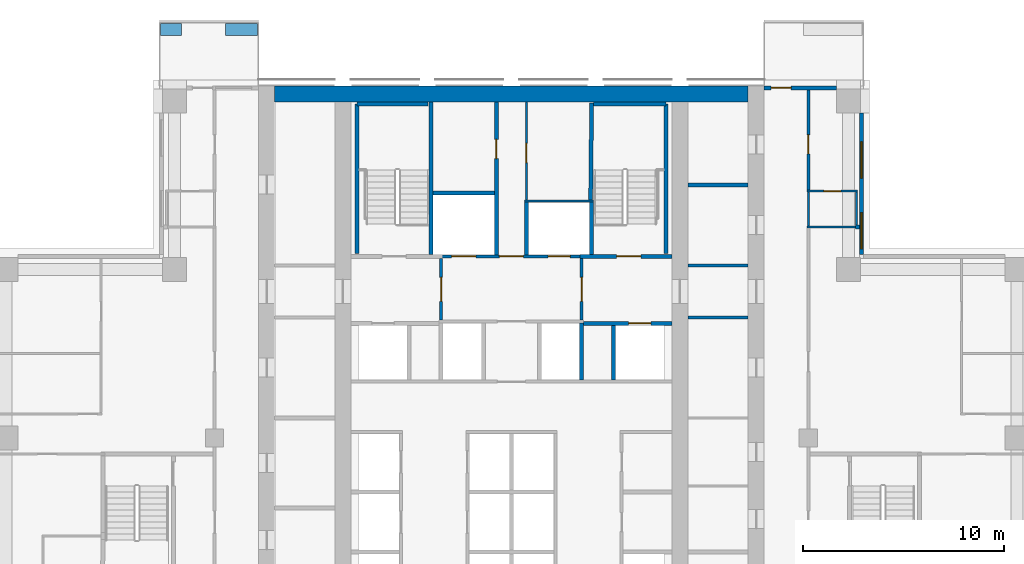
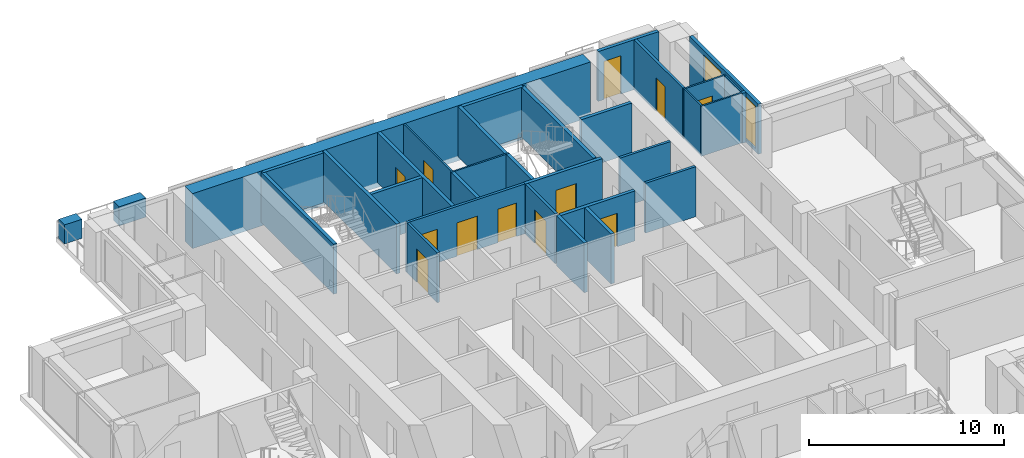
# One storey, part 13 of 18: 33 walls, 12 doors, 2 windows, 14 openings.
"""IFC4 building model written with IfcOpenShell, lengths in metres."""

from ifc_helpers import new_model, si_unit, direction, frame, frame_2d, origin, place, context, subcontext, project, spatial, rectangle, extrude, material, layer, layer_set, type_object, element, fill, save


model = new_model("IFC4")

# Units and contexts
model_context = context("Model", 3, precision=1e-05, world=origin(), true_north=direction((0.0, 1.0)))
body_context = subcontext(model_context, "Body", "Model", "MODEL_VIEW")
ifc_project = project(units=[si_unit("LENGTHUNIT", "METRE"), si_unit("AREAUNIT", "SQUARE_METRE"), si_unit("VOLUMEUNIT", "CUBIC_METRE"), si_unit("PLANEANGLEUNIT", "RADIAN"), si_unit("MASSUNIT", "GRAM", prefix="KILO")], contexts=[model_context])

# Site, building, storey
site_placement = place(None, origin())
site = spatial("IfcSite", under=ifc_project, at=site_placement, CompositionType="ELEMENT")
building_placement = place(site_placement, origin())
building = spatial("IfcBuilding", under=site, at=building_placement, Name="Vermilion Ogive Tower", CompositionType="ELEMENT")
storey_placement = place(building_placement, frame((0.0, 0.0, 94.199951171875)))
storey = spatial("IfcBuildingStorey", under=building, at=storey_placement, Name="L23", CompositionType="ELEMENT", Elevation=94.199951171875)

# Walls
ifc_material_1 = material(Name="Concrete B80", Category="concrete")
ifc_layer_1 = layer(ifc_material_1, 0.800048828125)
ifc_layer_set_1 = layer_set([ifc_layer_1], Name="Core wall 800 B80")
wall_type_1 = type_object("IfcWallType", Name="Core wall 800 B80", PredefinedType="SHEAR", material=ifc_layer_set_1)
wall_1_placement = place(storey_placement, frame((-11.800048828125, 21.35009765625, -0.320068359375), z_axis=(0.0, 0.0, 1.0), x_axis=(1.0, 0.0, 0.0)))
element("IfcWall", 1, at=wall_1_placement, inside=storey, type_object=wall_type_1, Name="L23-CORE-N", PredefinedType="SHEAR", context=body_context, shape_type="SweptSolid", body=[
    extrude(rectangle(XDim=23.60009765625, YDim=0.800048828125, at=frame_2d((11.800048828125, 0.0))), origin(), (0.0, 0.0, 1.0), 3.4501953125),
])
ifc_material_2 = material(Name="Gypsum board partition on steel studs", Category="steel")
ifc_layer_2 = layer(ifc_material_2, 0.10009765625)
ifc_layer_set_2 = layer_set([ifc_layer_2], Name="Partition 100 bath")
wall_type_2 = type_object("IfcWallType", Name="Partition 100 bath", PredefinedType="PARTITIONING", material=ifc_layer_set_2)
wall_2_placement = place(storey_placement, frame((14.72509765625, 14.699951171875, 0.0), z_axis=(0.0, 0.0, 1.0), x_axis=(1.0, 0.0, 0.0)))
element("IfcWall", 2, at=wall_2_placement, inside=storey, type_object=wall_type_2, Name="L23-W-W033", PredefinedType="PARTITIONING", context=body_context, shape_type="SweptSolid", body=[
    extrude(rectangle(XDim=2.52490234375, YDim=0.10009765625, at=frame_2d((1.262451171875, 0.0))), origin(), (0.0, 0.0, 1.0), 3.130126953125),
])

# Wall, opening, door
wall_3_placement = place(storey_placement, frame((14.72509765625, 16.5, 0.0), z_axis=(0.0, 0.0, 1.0), x_axis=(1.0, 0.0, 0.0)))
wall_3 = element("IfcWall", 3, at=wall_3_placement, inside=storey, type_object=wall_type_2, Name="L23-W-W036", PredefinedType="PARTITIONING", context=body_context, shape_type="SweptSolid", body=[
    extrude(rectangle(XDim=2.52490234375, YDim=0.10009765625, at=frame_2d((1.262451171875, 0.0))), origin(), (0.0, 0.0, 1.0), 3.130126953125),
])
opening_1_placement = place(wall_3_placement, frame((0.849853515625, 0.0, 0.0)))
opening_1 = element("IfcOpeningElement", 4, at=opening_1_placement, cuts=wall_3, Name="Opening D2G2021", PredefinedType="OPENING", context=body_context, shape_type="SweptSolid", body=[
    extrude(rectangle(XDim=0.85009765625, YDim=2.10009765625, at=frame_2d((0.425048828125, 1.050048828125))), frame((0.0, 0.06005859375, 0.0), z_axis=(0.0, -1.0, 0.0), x_axis=(1.0, 0.0, 0.0)), (0.0, 0.0, 1.0), 0.1201171875),
])
ifc_material_3 = material(Name="Timber door leaf", Category="wood")
door_type_1 = type_object("IfcDoorType", Name="Bath door 850 x 2100 FD30", OperationType="SINGLE_SWING_LEFT", PredefinedType="DOOR", material=ifc_material_3)
door_1_placement = place(opening_1_placement, origin())
door_1 = element("IfcDoor", 5, at=door_1_placement, inside=storey, type_object=door_type_1, Name="L23-D-D021", OperationType="SINGLE_SWING_RIGHT", OverallHeight=2.10009765625, OverallWidth=0.85009765625, PredefinedType="DOOR", context=body_context, shape_type="SweptSolid", body=[
    extrude(rectangle(XDim=0.85009765625, YDim=2.10009765625, at=frame_2d((0.425048828125, 1.050048828125))), frame((0.0, 0.02490234375, 0.0), z_axis=(0.0, -1.0, 0.0), x_axis=(1.0, 0.0, 0.0)), (0.0, 0.0, 1.0), 0.050048828125),
])
fill(opening_1, door_1)

# Walls
wall_4_placement = place(storey_placement, frame((14.800048828125, 14.75, 0.0), z_axis=(0.0, 0.0, 1.0), x_axis=(0.0, 1.0, 0.0)))
element("IfcWall", 6, at=wall_4_placement, inside=storey, type_object=wall_type_2, Name="L23-W-W059", PredefinedType="PARTITIONING", context=body_context, shape_type="SweptSolid", body=[
    extrude(rectangle(XDim=1.699951171875, YDim=0.10009765625, at=frame_2d((0.85009765625, 0.0))), origin(), (0.0, 0.0, 1.0), 3.130126953125),
])
wall_5_placement = place(storey_placement, frame((17.199951171875, 14.800048828125, 0.0), z_axis=(0.0, 0.0, 1.0), x_axis=(0.0, 1.0, 0.0)))
element("IfcWall", 7, at=wall_5_placement, inside=storey, type_object=wall_type_2, Name="L23-W-W062", PredefinedType="PARTITIONING", context=body_context, shape_type="SweptSolid", body=[
    extrude(rectangle(XDim=1.64990234375, YDim=0.10009765625, at=frame_2d((0.824951171875, 0.0))), origin(), (0.0, 0.0, 1.0), 3.130126953125),
])
wall_6_placement = place(storey_placement, frame((0.64990234375, 16.0, 0.0), z_axis=(0.0, 0.0, 1.0), x_axis=(1.0, 0.0, 0.0)))
element("IfcWall", 8, at=wall_6_placement, inside=storey, type_object=wall_type_2, Name="L23-CK-W-W020", PredefinedType="PARTITIONING", context=body_context, shape_type="SweptSolid", body=[
    extrude(rectangle(XDim=3.4501953125, YDim=0.10009765625, at=frame_2d((1.72509765625, 0.0))), origin(), (0.0, 0.0, 1.0), 3.130126953125),
])

# Wall, opening, door
wall_7_placement = place(storey_placement, frame((0.75, 16.050048828125, 0.0), z_axis=(0.0, 0.0, 1.0), x_axis=(0.0, 1.0, 0.0)))
wall_7 = element("IfcWall", 9, at=wall_7_placement, inside=storey, type_object=wall_type_2, Name="L23-CK-W-W032", PredefinedType="PARTITIONING", context=body_context, shape_type="SweptSolid", body=[
    extrude(rectangle(XDim=4.89892578125, YDim=0.10009765625, at=frame_2d((2.449462890625, 0.0))), origin(), (0.0, 0.0, 1.0), 3.130126953125),
])
opening_2_placement = place(wall_7_placement, frame((1.875, 0.0, 0.0)))
opening_2 = element("IfcOpeningElement", 10, at=opening_2_placement, cuts=wall_7, Name="Opening DAA169", PredefinedType="OPENING", context=body_context, shape_type="SweptSolid", body=[
    extrude(rectangle(XDim=0.949951171875, YDim=2.10009765625, at=frame_2d((0.47509765625, 1.050048828125))), frame((0.0, 0.06005859375, 0.0), z_axis=(0.0, -1.0, 0.0), x_axis=(1.0, 0.0, 0.0)), (0.0, 0.0, 1.0), 0.1201171875),
])
ifc_material_4 = material(Name="Timber door leaf", Category="wood")
door_type_2 = type_object("IfcDoorType", Name="Service door 950 x 2100 FD60", OperationType="SINGLE_SWING_LEFT", PredefinedType="DOOR", material=ifc_material_4)
door_2_placement = place(opening_2_placement, origin())
door_2 = element("IfcDoor", 11, at=door_2_placement, inside=storey, type_object=door_type_2, Name="L23-CK-D-D021", OperationType="SINGLE_SWING_LEFT", OverallHeight=2.10009765625, OverallWidth=0.949951171875, PredefinedType="DOOR", context=body_context, shape_type="SweptSolid", body=[
    extrude(rectangle(XDim=0.949951171875, YDim=2.10009765625, at=frame_2d((0.47509765625, 1.050048828125))), frame((0.0, 0.02490234375, 0.0), z_axis=(0.0, -1.0, 0.0), x_axis=(1.0, 0.0, 0.0)), (0.0, 0.0, 1.0), 0.050048828125),
])
fill(opening_2, door_2)

ifc_material_5 = material(Name="Gypsum board partition on steel studs", Category="steel")
ifc_layer_3 = layer(ifc_material_5, 0.14990234375)
ifc_layer_set_3 = layer_set([ifc_layer_3], Name="Partition 150 corridor")
wall_type_3 = type_object("IfcWallType", Name="Partition 150 corridor", PredefinedType="PARTITIONING", material=ifc_layer_set_3)
wall_8_placement = place(storey_placement, frame((14.800048828125, 16.550048828125, 0.0), z_axis=(0.0, 0.0, 1.0), x_axis=(0.0, 1.0, 0.0)))
wall_8 = element("IfcWall", 12, at=wall_8_placement, inside=storey, type_object=wall_type_3, Name="L23-W-W060", PredefinedType="PARTITIONING", context=body_context, shape_type="SweptSolid", body=[
    extrude(rectangle(XDim=5.0, YDim=0.14990234375, at=frame_2d((2.5, 0.0))), origin(), (0.0, 0.0, 1.0), 3.130126953125),
])
opening_3_placement = place(wall_8_placement, frame((1.800048828125, 0.0, 0.0)))
opening_3 = element("IfcOpeningElement", 13, at=opening_3_placement, cuts=wall_8, Name="Opening D2G2020", PredefinedType="OPENING", context=body_context, shape_type="SweptSolid", body=[
    extrude(rectangle(XDim=0.949951171875, YDim=2.10009765625, at=frame_2d((0.47509765625, 1.050048828125))), frame((0.0, 0.0849609375, 0.0), z_axis=(0.0, -1.0, 0.0), x_axis=(1.0, 0.0, 0.0)), (0.0, 0.0, 1.0), 0.169921875),
])
ifc_material_6 = material(Name="Timber door leaf", Category="wood")
door_type_3 = type_object("IfcDoorType", Name="Unit door 950 x 2100 FD30S", OperationType="SINGLE_SWING_LEFT", PredefinedType="DOOR", material=ifc_material_6)
door_3_placement = place(opening_3_placement, origin())
door_3 = element("IfcDoor", 14, at=door_3_placement, inside=storey, type_object=door_type_3, Name="L23-D-D020", OperationType="SINGLE_SWING_LEFT", OverallHeight=2.10009765625, OverallWidth=0.949951171875, PredefinedType="DOOR", context=body_context, shape_type="SweptSolid", body=[
    extrude(rectangle(XDim=0.949951171875, YDim=2.10009765625, at=frame_2d((0.47509765625, 1.050048828125))), frame((0.0, 0.02490234375, 0.0), z_axis=(0.0, -1.0, 0.0), x_axis=(1.0, 0.0, 0.0)), (0.0, 0.0, 1.0), 0.050048828125),
])
fill(opening_3, door_3)

# Wall, openings, doors
wall_9_placement = place(storey_placement, frame((-3.574951171875, 13.25, 0.0), z_axis=(0.0, 0.0, 1.0), x_axis=(1.0, 0.0, 0.0)))
wall_9 = element("IfcWall", 15, at=wall_9_placement, inside=storey, type_object=wall_type_3, Name="L23-CK-W-W018", PredefinedType="PARTITIONING", context=body_context, shape_type="SweptSolid", body=[
    extrude(rectangle(XDim=7.14990234375, YDim=0.14990234375, at=frame_2d((3.574951171875, 0.0))), origin(), (0.0, 0.0, 1.0), 3.130126953125),
])
opening_4_placement = place(wall_9_placement, frame((0.599853515625, 0.0, 0.0)))
opening_4 = element("IfcOpeningElement", 16, at=opening_4_placement, cuts=wall_9, Name="Opening DAA183", PredefinedType="OPENING", context=body_context, shape_type="SweptSolid", body=[
    extrude(rectangle(XDim=1.199951171875, YDim=2.10009765625, at=frame_2d((0.60009765625, 1.050048828125))), frame((0.0, 0.0849609375, 0.0), z_axis=(0.0, -1.0, 0.0), x_axis=(1.0, 0.0, 0.0)), (0.0, 0.0, 1.0), 0.169921875),
])
opening_5_placement = place(wall_9_placement, frame((5.39990234375, 0.0, 0.0)))
opening_5 = element("IfcOpeningElement", 17, at=opening_5_placement, cuts=wall_9, Name="Opening DAA174", PredefinedType="OPENING", context=body_context, shape_type="SweptSolid", body=[
    extrude(rectangle(XDim=1.10009765625, YDim=2.10009765625, at=frame_2d((0.550048828125, 1.050048828125))), frame((0.0, 0.0849609375, 0.0), z_axis=(0.0, -1.0, 0.0), x_axis=(1.0, 0.0, 0.0)), (0.0, 0.0, 1.0), 0.169921875),
])
opening_6_placement = place(wall_9_placement, frame((2.974853515625, 0.0, 0.0)))
opening_6 = element("IfcOpeningElement", 18, at=opening_6_placement, cuts=wall_9, Name="Opening DAA165", PredefinedType="OPENING", context=body_context, shape_type="SweptSolid", body=[
    extrude(rectangle(XDim=1.199951171875, YDim=2.10009765625, at=frame_2d((0.60009765625, 1.050048828125))), frame((0.0, 0.0849609375, 0.0), z_axis=(0.0, -1.0, 0.0), x_axis=(1.0, 0.0, 0.0)), (0.0, 0.0, 1.0), 0.169921875),
])
ifc_material_7 = material(Name="Stainless steel", Category="steel")
door_type_4 = type_object("IfcDoorType", Name="Lift landing door 1100 x 2100", OperationType="SLIDING_TO_LEFT", PredefinedType="DOOR", material=ifc_material_7)
door_4_placement = place(opening_5_placement, origin())
door_4 = element("IfcDoor", 19, at=door_4_placement, inside=storey, type_object=door_type_4, Name="L23-CK-D-D018", OperationType="SLIDING_TO_LEFT", OverallHeight=2.10009765625, OverallWidth=1.10009765625, PredefinedType="DOOR", context=body_context, shape_type="SweptSolid", body=[
    extrude(rectangle(XDim=1.10009765625, YDim=2.10009765625, at=frame_2d((0.550048828125, 1.050048828125))), frame((0.0, 0.02490234375, 0.0), z_axis=(0.0, -1.0, 0.0), x_axis=(1.0, 0.0, 0.0)), (0.0, 0.0, 1.0), 0.050048828125),
])
fill(opening_5, door_4)
ifc_material_8 = material(Name="Stainless steel", Category="steel")
door_type_5 = type_object("IfcDoorType", Name="Lift landing door 1200 x 2100", OperationType="SLIDING_TO_LEFT", PredefinedType="DOOR", material=ifc_material_8)
door_5_placement = place(opening_4_placement, origin())
door_5 = element("IfcDoor", 20, at=door_5_placement, inside=storey, type_object=door_type_5, Name="L23-CK-D-D017", OperationType="SLIDING_TO_RIGHT", OverallHeight=2.10009765625, OverallWidth=1.199951171875, PredefinedType="DOOR", context=body_context, shape_type="SweptSolid", body=[
    extrude(rectangle(XDim=1.199951171875, YDim=2.10009765625, at=frame_2d((0.60009765625, 1.050048828125))), frame((0.0, 0.02490234375, 0.0), z_axis=(0.0, -1.0, 0.0), x_axis=(1.0, 0.0, 0.0)), (0.0, 0.0, 1.0), 0.050048828125),
])
fill(opening_4, door_5)
ifc_material_9 = material(Name="Timber door leaf", Category="wood")
door_type_6 = type_object("IfcDoorType", Name="Service door 1200 x 2100 FD60", OperationType="SINGLE_SWING_LEFT", PredefinedType="DOOR", material=ifc_material_9)
door_6_placement = place(opening_6_placement, origin())
door_6 = element("IfcDoor", 21, at=door_6_placement, inside=storey, type_object=door_type_6, Name="L23-CK-D-D019", OperationType="SINGLE_SWING_RIGHT", OverallHeight=2.10009765625, OverallWidth=1.199951171875, PredefinedType="DOOR", context=body_context, shape_type="SweptSolid", body=[
    extrude(rectangle(XDim=1.199951171875, YDim=2.10009765625, at=frame_2d((0.60009765625, 1.050048828125))), frame((0.0, 0.02490234375, 0.0), z_axis=(0.0, -1.0, 0.0), x_axis=(1.0, 0.0, 0.0)), (0.0, 0.0, 1.0), 0.050048828125),
])
fill(opening_6, door_6)

# Wall, opening, door
wall_10_placement = place(storey_placement, frame((-3.5, 10.074951171875, 0.0), z_axis=(0.0, 0.0, 1.0), x_axis=(0.0, 1.0, 0.0)))
wall_10 = element("IfcWall", 22, at=wall_10_placement, inside=storey, type_object=wall_type_3, Name="L23-CK-W-W026", PredefinedType="PARTITIONING", context=body_context, shape_type="SweptSolid", body=[
    extrude(rectangle(XDim=3.074951171875, YDim=0.14990234375, at=frame_2d((1.53759765625, 0.0))), origin(), (0.0, 0.0, 1.0), 3.130126953125),
])
opening_7_placement = place(wall_10_placement, frame((0.925048828125, 0.0, 0.0)))
opening_7 = element("IfcOpeningElement", 23, at=opening_7_placement, cuts=wall_10, Name="Opening DAA161", PredefinedType="OPENING", context=body_context, shape_type="SweptSolid", body=[
    extrude(rectangle(XDim=1.199951171875, YDim=2.10009765625, at=frame_2d((0.60009765625, 1.050048828125))), frame((0.0, 0.0849609375, 0.0), z_axis=(0.0, -1.0, 0.0), x_axis=(1.0, 0.0, 0.0)), (0.0, 0.0, 1.0), 0.169921875),
])
ifc_material_10 = material(Name="Timber door leaf", Category="wood")
door_type_7 = type_object("IfcDoorType", Name="Lobby door 1200 x 2100 FD60S", OperationType="SINGLE_SWING_LEFT", PredefinedType="DOOR", material=ifc_material_10)
door_7_placement = place(opening_7_placement, origin())
door_7 = element("IfcDoor", 24, at=door_7_placement, inside=storey, type_object=door_type_7, Name="L23-CK-D-D022", OperationType="SINGLE_SWING_RIGHT", OverallHeight=2.10009765625, OverallWidth=1.199951171875, PredefinedType="DOOR", context=body_context, shape_type="SweptSolid", body=[
    extrude(rectangle(XDim=1.199951171875, YDim=2.10009765625, at=frame_2d((0.60009765625, 1.050048828125))), frame((0.0, 0.02490234375, 0.0), z_axis=(0.0, -1.0, 0.0), x_axis=(1.0, 0.0, 0.0)), (0.0, 0.0, 1.0), 0.050048828125),
])
fill(opening_7, door_7)

wall_11_placement = place(storey_placement, frame((3.5, 10.074951171875, 0.0), z_axis=(0.0, 0.0, 1.0), x_axis=(0.0, 1.0, 0.0)))
wall_11 = element("IfcWall", 25, at=wall_11_placement, inside=storey, type_object=wall_type_3, Name="L23-CK-W-W036", PredefinedType="PARTITIONING", context=body_context, shape_type="SweptSolid", body=[
    extrude(rectangle(XDim=3.074951171875, YDim=0.14990234375, at=frame_2d((1.53759765625, 0.0))), origin(), (0.0, 0.0, 1.0), 3.130126953125),
])
opening_8_placement = place(wall_11_placement, frame((0.925048828125, 0.0, 0.0)))
opening_8 = element("IfcOpeningElement", 26, at=opening_8_placement, cuts=wall_11, Name="Opening DAA162", PredefinedType="OPENING", context=body_context, shape_type="SweptSolid", body=[
    extrude(rectangle(XDim=1.199951171875, YDim=2.10009765625, at=frame_2d((0.60009765625, 1.050048828125))), frame((0.0, 0.0849609375, 0.0), z_axis=(0.0, -1.0, 0.0), x_axis=(1.0, 0.0, 0.0)), (0.0, 0.0, 1.0), 0.169921875),
])
door_8_placement = place(opening_8_placement, origin())
door_8 = element("IfcDoor", 27, at=door_8_placement, inside=storey, type_object=door_type_7, Name="L23-CK-D-D023", OperationType="SINGLE_SWING_LEFT", OverallHeight=2.10009765625, OverallWidth=1.199951171875, PredefinedType="DOOR", context=body_context, shape_type="SweptSolid", body=[
    extrude(rectangle(XDim=1.199951171875, YDim=2.10009765625, at=frame_2d((0.60009765625, 1.050048828125))), frame((0.0, 0.02490234375, 0.0), z_axis=(0.0, -1.0, 0.0), x_axis=(1.0, 0.0, 0.0)), (0.0, 0.0, 1.0), 0.050048828125),
])
fill(opening_8, door_8)

# Walls
for number, where, z_axis, x_axis, name in (
    (28, (8.801025390625, 10.199951171875, 0.0), (0.0, 0.0, 1.0), (1.0, 0.0, 0.0), "L23-CKE-W-W004"),
    (29, (8.801025390625, 12.800048828125, 0.0), (0.0, 0.0, 1.0), (1.0, 0.0, 0.0), "L23-CKE-W-W005"),
):
    element("IfcWall", number, at=place(storey_placement, frame(where, z_axis=z_axis, x_axis=x_axis)), inside=storey, type_object=wall_type_3, Name=name, PredefinedType="PARTITIONING", context=body_context, shape_type="SweptSolid", body=[
        extrude(rectangle(XDim=2.998046875, YDim=0.14990234375, at=frame_2d((1.4990234375, 0.0))), origin(), (0.0, 0.0, 1.0), 3.130126953125),
    ])
ifc_material_11 = material(Name="Gypsum board partition on steel studs", Category="steel")
ifc_layer_4 = layer(ifc_material_11, 0.199951171875)
ifc_layer_set_4 = layer_set([ifc_layer_4], Name="Partition 200 party")
wall_type_4 = type_object("IfcWallType", Name="Partition 200 party", PredefinedType="PARTITIONING", material=ifc_layer_set_4)
wall_12_placement = place(storey_placement, frame((17.14990234375, 14.699951171875, 0.0), z_axis=(0.0, 0.0, 1.0), x_axis=(1.0, 0.0, 0.0)))
element("IfcWall", 30, at=wall_12_placement, inside=storey, type_object=wall_type_4, Name="L23-W-W034", PredefinedType="PARTITIONING", context=body_context, shape_type="SweptSolid", body=[
    extrude(rectangle(XDim=0.2001953125, YDim=0.199951171875, at=frame_2d((0.10009765625, 0.0))), origin(), (0.0, 0.0, 1.0), 3.130126953125),
])

# Wall, opening, door
wall_13_placement = place(storey_placement, frame((3.60009765625, 9.89990234375, 0.0), z_axis=(0.0, 0.0, 1.0), x_axis=(1.0, 0.0, 0.0)))
wall_13 = element("IfcWall", 31, at=wall_13_placement, inside=storey, type_object=wall_type_4, Name="L23-CK-W-W015", PredefinedType="PARTITIONING", context=body_context, shape_type="SweptSolid", body=[
    extrude(rectangle(XDim=4.39892578125, YDim=0.199951171875, at=frame_2d((2.199462890625, 0.0))), origin(), (0.0, 0.0, 1.0), 3.130126953125),
])
opening_9_placement = place(wall_13_placement, frame((2.25, 0.0, 0.0)))
opening_9 = element("IfcOpeningElement", 32, at=opening_9_placement, cuts=wall_13, Name="Opening DAA173", PredefinedType="OPENING", context=body_context, shape_type="SweptSolid", body=[
    extrude(rectangle(XDim=1.10009765625, YDim=2.10009765625, at=frame_2d((0.550048828125, 1.050048828125))), frame((0.0, 0.10986328125, 0.0), z_axis=(0.0, -1.0, 0.0), x_axis=(1.0, 0.0, 0.0)), (0.0, 0.0, 1.0), 0.219970703125),
])
door_9_placement = place(opening_9_placement, origin())
door_9 = element("IfcDoor", 33, at=door_9_placement, inside=storey, type_object=door_type_4, Name="L23-CK-D-D014", OperationType="SLIDING_TO_LEFT", OverallHeight=2.10009765625, OverallWidth=1.10009765625, PredefinedType="DOOR", context=body_context, shape_type="SweptSolid", body=[
    extrude(rectangle(XDim=1.10009765625, YDim=2.10009765625, at=frame_2d((0.550048828125, 1.050048828125))), frame((0.0, 0.02490234375, 0.0), z_axis=(0.0, -1.0, 0.0), x_axis=(1.0, 0.0, 0.0)), (0.0, 0.0, 1.0), 0.050048828125),
])
fill(opening_9, door_9)

# Wall
wall_14_placement = place(storey_placement, frame((-3.89990234375, 16.39990234375, 0.0), z_axis=(0.0, 0.0, 1.0), x_axis=(1.0, 0.0, 0.0)))
element("IfcWall", 34, at=wall_14_placement, inside=storey, type_object=wall_type_4, Name="L23-CK-W-W021", PredefinedType="PARTITIONING", context=body_context, shape_type="SweptSolid", body=[
    extrude(rectangle(XDim=3.0498046875, YDim=0.199951171875, at=frame_2d((1.52490234375, 0.0))), origin(), (0.0, 0.0, 1.0), 3.130126953125),
])

# Wall, opening, door
wall_15_placement = place(storey_placement, frame((-0.75, 13.324951171875, 0.0), z_axis=(0.0, 0.0, 1.0), x_axis=(0.0, 1.0, 0.0)))
wall_15 = element("IfcWall", 35, at=wall_15_placement, inside=storey, type_object=wall_type_4, Name="L23-CK-W-W029", PredefinedType="PARTITIONING", context=body_context, shape_type="SweptSolid", body=[
    extrude(rectangle(XDim=7.6240234375, YDim=0.199951171875, at=frame_2d((3.81201171875, 0.0))), origin(), (0.0, 0.0, 1.0), 3.130126953125),
])
opening_10_placement = place(wall_15_placement, frame((4.800048828125, 0.0, 0.0)))
opening_10 = element("IfcOpeningElement", 36, at=opening_10_placement, cuts=wall_15, Name="Opening DAA168", PredefinedType="OPENING", context=body_context, shape_type="SweptSolid", body=[
    extrude(rectangle(XDim=0.949951171875, YDim=2.10009765625, at=frame_2d((0.47509765625, 1.050048828125))), frame((0.0, 0.10986328125, 0.0), z_axis=(0.0, -1.0, 0.0), x_axis=(1.0, 0.0, 0.0)), (0.0, 0.0, 1.0), 0.219970703125),
])
door_10_placement = place(opening_10_placement, origin())
door_10 = element("IfcDoor", 37, at=door_10_placement, inside=storey, type_object=door_type_2, Name="L23-CK-D-D020", OperationType="SINGLE_SWING_RIGHT", OverallHeight=2.10009765625, OverallWidth=0.949951171875, PredefinedType="DOOR", context=body_context, shape_type="SweptSolid", body=[
    extrude(rectangle(XDim=0.949951171875, YDim=2.10009765625, at=frame_2d((0.47509765625, 1.050048828125))), frame((0.0, 0.02490234375, 0.0), z_axis=(0.0, -1.0, 0.0), x_axis=(1.0, 0.0, 0.0)), (0.0, 0.0, 1.0), 0.050048828125),
])
fill(opening_10, door_10)

# Walls
wall_16_placement = place(storey_placement, frame((0.75, 13.324951171875, 0.0), z_axis=(0.0, 0.0, 1.0), x_axis=(0.0, 1.0, 0.0)))
element("IfcWall", 38, at=wall_16_placement, inside=storey, type_object=wall_type_4, Name="L23-CK-W-W031", PredefinedType="PARTITIONING", context=body_context, shape_type="SweptSolid", body=[
    extrude(rectangle(XDim=2.625, YDim=0.199951171875, at=frame_2d((1.3125, 0.0))), origin(), (0.0, 0.0, 1.0), 3.130126953125),
])
wall_17_placement = place(storey_placement, frame((3.5, 7.074951171875, 0.0), z_axis=(0.0, 0.0, 1.0), x_axis=(0.0, 1.0, 0.0)))
element("IfcWall", 39, at=wall_17_placement, inside=storey, type_object=wall_type_4, Name="L23-CK-W-W035", PredefinedType="PARTITIONING", context=body_context, shape_type="SweptSolid", body=[
    extrude(rectangle(XDim=2.85009765625, YDim=0.199951171875, at=frame_2d((1.425048828125, 0.0))), origin(), (0.0, 0.0, 1.0), 3.130126953125),
])
wall_18_placement = place(storey_placement, frame((5.10009765625, 7.074951171875, 0.0), z_axis=(0.0, 0.0, 1.0), x_axis=(0.0, 1.0, 0.0)))
element("IfcWall", 40, at=wall_18_placement, inside=storey, type_object=wall_type_4, Name="L23-CK-W-W039", PredefinedType="PARTITIONING", context=body_context, shape_type="SweptSolid", body=[
    extrude(rectangle(XDim=2.72509765625, YDim=0.199951171875, at=frame_2d((1.362548828125, 0.0))), origin(), (0.0, 0.0, 1.0), 3.130126953125),
])
wall_19_placement = place(storey_placement, frame((8.801025390625, 16.800048828125, 0.0), z_axis=(0.0, 0.0, 1.0), x_axis=(1.0, 0.0, 0.0)))
element("IfcWall", 41, at=wall_19_placement, inside=storey, type_object=wall_type_4, Name="L23-CKE-W-W006", PredefinedType="PARTITIONING", context=body_context, shape_type="SweptSolid", body=[
    extrude(rectangle(XDim=2.998046875, YDim=0.199951171875, at=frame_2d((1.4990234375, 0.0))), origin(), (0.0, 0.0, 1.0), 3.130126953125),
])

# Wall, opening, door
ifc_material_12 = material(Name="Concrete B60", Category="concrete")
ifc_layer_5 = layer(ifc_material_12, 0.199951171875)
ifc_layer_set_5 = layer_set([ifc_layer_5], Name="Stair shaft wall 200 Concrete B60")
wall_type_5 = type_object("IfcWallType", Name="Stair shaft wall 200 Concrete B60", PredefinedType="SOLIDWALL", material=ifc_layer_set_5)
wall_20_placement = place(storey_placement, frame((3.425048828125, 13.25, 0.0), z_axis=(0.0, 0.0, 1.0), x_axis=(1.0, 0.0, 0.0)))
wall_20 = element("IfcWall", 42, at=wall_20_placement, inside=storey, type_object=wall_type_5, Name="L23-CK-W-W019", PredefinedType="SOLIDWALL", context=body_context, shape_type="SweptSolid", body=[
    extrude(rectangle(XDim=4.573974609375, YDim=0.199951171875, at=frame_2d((2.287109375, 0.0))), origin(), (0.0, 0.0, 1.0), 3.130126953125),
])
opening_11_placement = place(wall_20_placement, frame((1.824951171875, 0.0, 0.0)))
opening_11 = element("IfcOpeningElement", 43, at=opening_11_placement, cuts=wall_20, Name="Opening DAA171", PredefinedType="OPENING", context=body_context, shape_type="SweptSolid", body=[
    extrude(rectangle(XDim=1.199951171875, YDim=2.10009765625, at=frame_2d((0.60009765625, 1.050048828125))), frame((0.0, 0.10986328125, 0.0), z_axis=(0.0, -1.0, 0.0), x_axis=(1.0, 0.0, 0.0)), (0.0, 0.0, 1.0), 0.219970703125),
])
ifc_material_13 = material(Name="Timber door leaf", Category="wood")
door_type_8 = type_object("IfcDoorType", Name="Stair door 1200 x 2100 FD60S", OperationType="SINGLE_SWING_LEFT", PredefinedType="DOOR", material=ifc_material_13)
door_11_placement = place(opening_11_placement, origin())
door_11 = element("IfcDoor", 44, at=door_11_placement, inside=storey, type_object=door_type_8, Name="L23-CK-D-D013", OperationType="SINGLE_SWING_RIGHT", OverallHeight=2.10009765625, OverallWidth=1.199951171875, PredefinedType="DOOR", context=body_context, shape_type="SweptSolid", body=[
    extrude(rectangle(XDim=1.199951171875, YDim=2.10009765625, at=frame_2d((0.60009765625, 1.050048828125))), frame((0.0, 0.02490234375, 0.0), z_axis=(0.0, -1.0, 0.0), x_axis=(1.0, 0.0, 0.0)), (0.0, 0.0, 1.0), 0.050048828125),
])
fill(opening_11, door_11)

# Walls
wall_21_placement = place(storey_placement, frame((-4.0, 13.35009765625, 0.0), z_axis=(0.0, 0.0, 1.0), x_axis=(0.0, 1.0, 0.0)))
element("IfcWall", 45, at=wall_21_placement, inside=storey, type_object=wall_type_5, Name="L23-CK-W-W024", PredefinedType="SOLIDWALL", context=body_context, shape_type="SweptSolid", body=[
    extrude(rectangle(XDim=7.598876953125, YDim=0.199951171875, at=frame_2d((3.79931640625, 0.0))), origin(), (0.0, 0.0, 1.0), 3.130126953125),
])
wall_22_placement = place(storey_placement, frame((4.0, 13.35009765625, 0.0), z_axis=(0.0, 0.0, 1.0), x_axis=(0.0, 1.0, 0.0)))
element("IfcWall", 46, at=wall_22_placement, inside=storey, type_object=wall_type_5, Name="L23-CK-W-W037", PredefinedType="SOLIDWALL", context=body_context, shape_type="SweptSolid", body=[
    extrude(rectangle(XDim=2.599853515625, YDim=0.199951171875, at=frame_2d((1.2998046875, 0.0))), origin(), (0.0, 0.0, 1.0), 3.130126953125),
])
wall_23_placement = place(storey_placement, frame((3.949951171875, 16.050048828125, 0.0), z_axis=(0.0, 0.0, 1.0), x_axis=(0.01032118628, 0.999946735138, 0.0)))
element("IfcWall", 47, at=wall_23_placement, inside=storey, type_object=wall_type_5, Name="L23-CK-W-W038", PredefinedType="SOLIDWALL", context=body_context, shape_type="SweptSolid", body=[
    extrude(rectangle(XDim=4.84912109375, YDim=0.199951171875, at=frame_2d((2.424560546875, 0.0))), origin(), (0.0, 0.0, 1.0), 3.130126953125),
])
wall_24_placement = place(storey_placement, frame((-7.699951171875, 13.39990234375, 0.0), z_axis=(0.0, 0.0, 1.0), x_axis=(0.0, 1.0, 0.0)))
element("IfcWall", 48, at=wall_24_placement, inside=storey, type_object=wall_type_5, Name="L23-SW-R021-W1", PredefinedType="SOLIDWALL", context=body_context, shape_type="SweptSolid", body=[
    extrude(rectangle(XDim=7.4501953125, YDim=0.199951171875, at=frame_2d((3.72509765625, 0.0))), origin(), (0.0, 0.0, 1.0), 3.130126953125),
])
wall_25_placement = place(storey_placement, frame((-7.699951171875, 20.85009765625, 0.0), z_axis=(0.0, 0.0, 1.0), x_axis=(1.0, 0.0, 0.0)))
element("IfcWall", 49, at=wall_25_placement, inside=storey, type_object=wall_type_5, Name="L23-SW-R021-N1", PredefinedType="SOLIDWALL", context=body_context, shape_type="SweptSolid", body=[
    extrude(rectangle(XDim=3.550048828125, YDim=0.199951171875, at=frame_2d((1.77490234375, 0.0))), origin(), (0.0, 0.0, 1.0), 3.130126953125),
])
wall_26_placement = place(storey_placement, frame((7.699951171875, 13.39990234375, 0.0), z_axis=(0.0, 0.0, 1.0), x_axis=(0.0, 1.0, 0.0)))
element("IfcWall", 50, at=wall_26_placement, inside=storey, type_object=wall_type_5, Name="L23-SW-R025-E1", PredefinedType="SOLIDWALL", context=body_context, shape_type="SweptSolid", body=[
    extrude(rectangle(XDim=7.4501953125, YDim=0.199951171875, at=frame_2d((3.72509765625, 0.0))), origin(), (0.0, 0.0, 1.0), 3.130126953125),
])
wall_27_placement = place(storey_placement, frame((4.10009765625, 20.85009765625, 0.0), z_axis=(0.0, 0.0, 1.0), x_axis=(1.0, 0.0, 0.0)))
element("IfcWall", 51, at=wall_27_placement, inside=storey, type_object=wall_type_5, Name="L23-SW-R025-N1", PredefinedType="SOLIDWALL", context=body_context, shape_type="SweptSolid", body=[
    extrude(rectangle(XDim=3.599853515625, YDim=0.199951171875, at=frame_2d((1.7998046875, 0.0))), origin(), (0.0, 0.0, 1.0), 3.130126953125),
])
ifc_material_14 = material(Name="Concrete B40", Category="concrete")
ifc_layer_6 = layer(ifc_material_14, 0.60009765625)
ifc_layer_set_6 = layer_set([ifc_layer_6], Name="Structural planter")
wall_type_6 = type_object("IfcWallType", Name="Structural planter", PredefinedType="USERDEFINED", material=ifc_layer_set_6)
wall_28_placement = place(storey_placement, frame((-12.659912109375, 24.550048828125, -0.0400390625), z_axis=(0.0, 0.0, 1.0), x_axis=(-1.0, 0.0, 0.0)))
element("IfcWall", 52, at=wall_28_placement, inside=storey, type_object=wall_type_6, Name="Planter N201A1", ObjectType="PLANTER", PredefinedType="USERDEFINED", context=body_context, shape_type="SweptSolid", body=[
    extrude(rectangle(XDim=1.590087890625, YDim=0.60009765625, at=frame_2d((0.794921875, 0.0))), origin(), (0.0, 0.0, 1.0), 1.2001953125),
])
wall_29_placement = place(storey_placement, frame((-16.449951171875, 24.550048828125, -0.0400390625), z_axis=(0.0, 0.0, 1.0), x_axis=(-1.0, 0.0, 0.0)))
element("IfcWall", 53, at=wall_29_placement, inside=storey, type_object=wall_type_6, Name="Planter N201A2", ObjectType="PLANTER", PredefinedType="USERDEFINED", context=body_context, shape_type="SweptSolid", body=[
    extrude(rectangle(XDim=1.0400390625, YDim=0.60009765625, at=frame_2d((0.52001953125, 0.0))), origin(), (0.0, 0.0, 1.0), 1.2001953125),
])

# Wall, openings, windows
ifc_material_15 = material(Name="Aluminium window wall framing", Category="aluminium")
ifc_layer_7 = layer(ifc_material_15, 0.199951171875)
ifc_layer_set_7 = layer_set([ifc_layer_7], Name="Window wall")
wall_type_7 = type_object("IfcWallType", Name="Window wall", PredefinedType="STANDARD", material=ifc_layer_set_7)
wall_30_placement = place(storey_placement, frame((17.449951171875, 13.35009765625, 0.0), z_axis=(0.0, 0.0, 1.0), x_axis=(0.0, 1.0, 0.0)))
wall_30 = element("IfcWall", 54, at=wall_30_placement, inside=storey, type_object=wall_type_7, Name="Window wall X41", PredefinedType="STANDARD", context=body_context, shape_type="SweptSolid", body=[
    extrude(rectangle(XDim=7.0498046875, YDim=0.199951171875, at=frame_2d((3.52490234375, 0.0))), origin(), (0.0, 0.0, 1.0), 3.130126953125),
])
opening_12_placement = place(wall_30_placement, frame((0.27490234375, 0.0, 0.199951171875)))
opening_12 = element("IfcOpeningElement", 55, at=opening_12_placement, cuts=wall_30, Name="Opening W1-X403", PredefinedType="OPENING", context=body_context, shape_type="SweptSolid", body=[
    extrude(rectangle(XDim=1.800048828125, YDim=2.64990234375, at=frame_2d((0.89990234375, 1.324951171875))), frame((0.0, 0.10986328125, 0.0), z_axis=(0.0, -1.0, 0.0), x_axis=(1.0, 0.0, 0.0)), (0.0, 0.0, 1.0), 0.219970703125),
])
opening_13_placement = place(wall_30_placement, frame((3.800048828125, 0.0, 0.199951171875)))
opening_13 = element("IfcOpeningElement", 56, at=opening_13_placement, cuts=wall_30, Name="Opening W1-X404", PredefinedType="OPENING", context=body_context, shape_type="SweptSolid", body=[
    extrude(rectangle(XDim=1.800048828125, YDim=2.64990234375, at=frame_2d((0.89990234375, 1.324951171875))), frame((0.0, 0.10986328125, 0.0), z_axis=(0.0, -1.0, 0.0), x_axis=(1.0, 0.0, 0.0)), (0.0, 0.0, 1.0), 0.219970703125),
])
ifc_material_16 = material(Name="Aluminium framed double glazing", Category="aluminium")
window_type = type_object("IfcWindowType", Name="Guest window W1", PartitioningType="SINGLE_PANEL", PredefinedType="WINDOW", material=ifc_material_16)
window_1_placement = place(opening_12_placement, origin())
window_1 = element("IfcWindow", 57, at=window_1_placement, inside=storey, type_object=window_type, Name="Window X403", OverallHeight=2.64990234375, OverallWidth=1.800048828125, PartitioningType="SINGLE_PANEL", PredefinedType="WINDOW", context=body_context, shape_type="SweptSolid", body=[
    extrude(rectangle(XDim=1.800048828125, YDim=2.64990234375, at=frame_2d((0.89990234375, 1.324951171875))), frame((0.0, 0.030029296875, 0.0), z_axis=(0.0, -1.0, 0.0), x_axis=(1.0, 0.0, 0.0)), (0.0, 0.0, 1.0), 0.06005859375),
])
fill(opening_12, window_1)
window_2_placement = place(opening_13_placement, origin())
window_2 = element("IfcWindow", 58, at=window_2_placement, inside=storey, type_object=window_type, Name="Window X404", OverallHeight=2.64990234375, OverallWidth=1.800048828125, PartitioningType="SINGLE_PANEL", PredefinedType="WINDOW", context=body_context, shape_type="SweptSolid", body=[
    extrude(rectangle(XDim=1.800048828125, YDim=2.64990234375, at=frame_2d((0.89990234375, 1.324951171875))), frame((0.0, 0.030029296875, 0.0), z_axis=(0.0, -1.0, 0.0), x_axis=(1.0, 0.0, 0.0)), (0.0, 0.0, 1.0), 0.06005859375),
])
fill(opening_13, window_2)

# Wall, opening, door
wall_31_placement = place(storey_placement, frame((16.199951171875, 21.64990234375, 0.0), z_axis=(0.0, 0.0, 1.0), x_axis=(-1.0, 0.0, 0.0)))
wall_31 = element("IfcWall", 59, at=wall_31_placement, inside=storey, type_object=wall_type_7, Name="Window wall N11", PredefinedType="STANDARD", context=body_context, shape_type="SweptSolid", body=[
    extrude(rectangle(XDim=3.599853515625, YDim=0.199951171875, at=frame_2d((1.7998046875, 0.0))), origin(), (0.0, 0.0, 1.0), 3.130126953125),
])
opening_14_placement = place(wall_31_placement, frame((2.25, 0.0, 0.0)))
opening_14 = element("IfcOpeningElement", 60, at=opening_14_placement, cuts=wall_31, Name="Opening D1-N103", PredefinedType="OPENING", context=body_context, shape_type="SweptSolid", body=[
    extrude(rectangle(XDim=1.0, YDim=2.39990234375, at=frame_2d((0.5, 1.199951171875))), frame((0.0, 0.10986328125, 0.0), z_axis=(0.0, -1.0, 0.0), x_axis=(1.0, 0.0, 0.0)), (0.0, 0.0, 1.0), 0.219970703125),
])
ifc_material_17 = material(Name="Aluminium framed glazed door", Category="aluminium")
door_type_9 = type_object("IfcDoorType", Name="Balcony door D1", OperationType="SINGLE_SWING_LEFT", PredefinedType="DOOR", material=ifc_material_17)
door_12_placement = place(opening_14_placement, origin())
door_12 = element("IfcDoor", 61, at=door_12_placement, inside=storey, type_object=door_type_9, Name="Balcony door N103", OperationType="SINGLE_SWING_LEFT", OverallHeight=2.39990234375, OverallWidth=1.0, PredefinedType="DOOR", context=body_context, shape_type="SweptSolid", body=[
    extrude(rectangle(XDim=1.0, YDim=2.39990234375, at=frame_2d((0.5, 1.199951171875))), frame((0.0, 0.02490234375, 0.0), z_axis=(0.0, -1.0, 0.0), x_axis=(1.0, 0.0, 0.0)), (0.0, 0.0, 1.0), 0.050048828125),
])
fill(opening_14, door_12)

save(model, "model.ifc")
